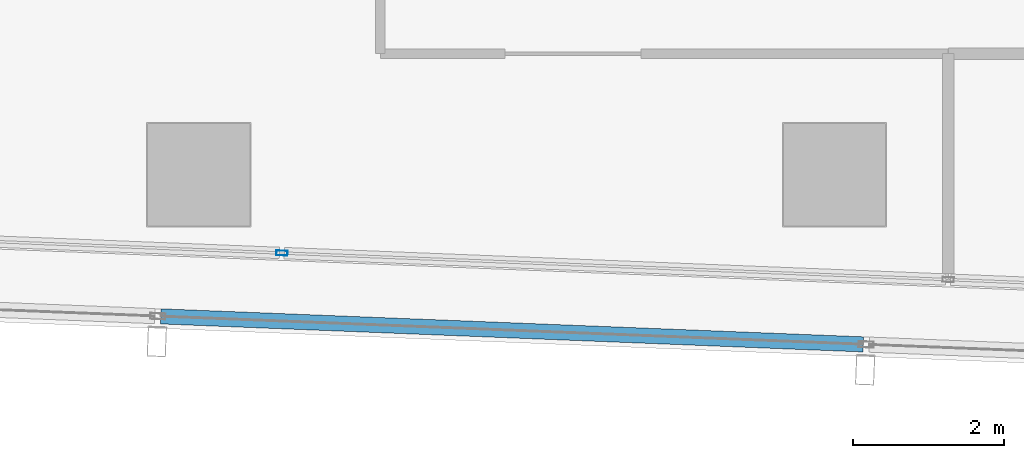
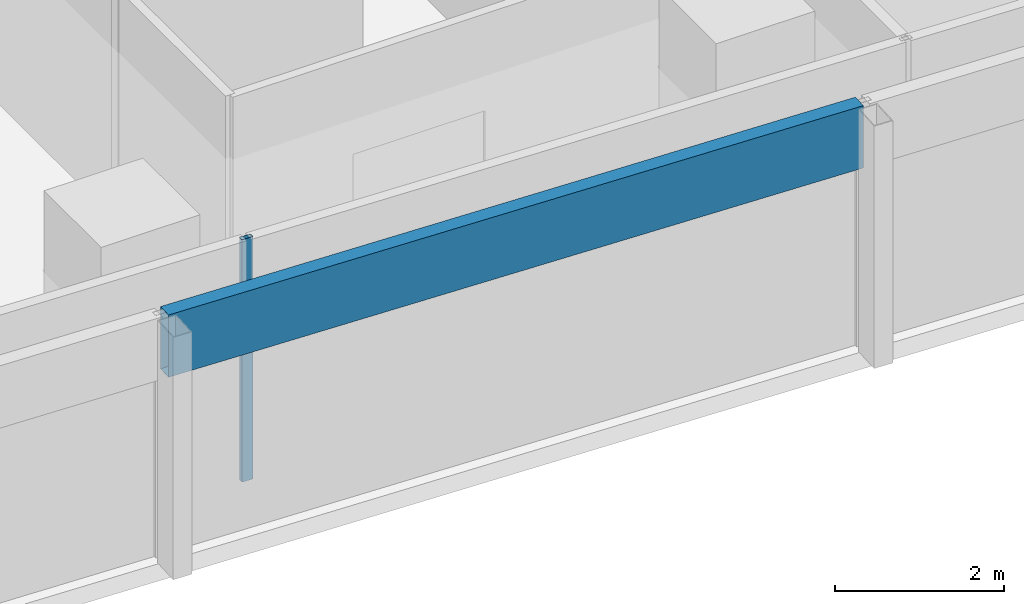
# One storey, part 4 of 35: 2 members, 2 elements without a shape of their own.
"""IFC4 building model written with IfcOpenShell, lengths in metres."""

from ifc_helpers import new_model, si_unit, direction, frame, origin, origin_2d, place, context, subcontext, project, spatial, hollow_rectangle, extrude, material, material_profile, profile_set, type_object, element, aggregate, save


model = new_model("IFC4")

# Units and contexts
model_context = context("Model", 3, precision=1e-05, world=origin(), true_north=direction((0.0, 1.0)))
body_context = subcontext(model_context, "Body", "Model", "MODEL_VIEW")
ifc_project = project(units=[si_unit("LENGTHUNIT", "METRE"), si_unit("AREAUNIT", "SQUARE_METRE"), si_unit("VOLUMEUNIT", "CUBIC_METRE"), si_unit("PLANEANGLEUNIT", "RADIAN"), si_unit("MASSUNIT", "GRAM", prefix="KILO")], contexts=[model_context])

# Site, building, storey
site_placement = place(None, origin())
site = spatial("IfcSite", under=ifc_project, at=site_placement, CompositionType="ELEMENT")
building_placement = place(site_placement, origin())
building = spatial("IfcBuilding", under=site, at=building_placement, Name="Rekha Terrace Tower", CompositionType="ELEMENT")
storey_placement = place(building_placement, frame((0.0, 0.0, 191.449951171875)))
storey = spatial("IfcBuildingStorey", under=building, at=storey_placement, Name="L48", CompositionType="ELEMENT", Elevation=191.449951171875)

# Curtain wall, member
ifc_material_1 = material(Name="Aluminium framing", Category="aluminium")
curtain_wall_type_1 = type_object("IfcCurtainWallType", Name="CW1 double skin inner glazing", PredefinedType="USERDEFINED", material=ifc_material_1)
curtain_wall_1_placement = place(storey_placement, origin())
curtain_wall_1 = element("IfcCurtainWall", 1, at=curtain_wall_1_placement, inside=storey, type_object=curtain_wall_type_1, Name="CW1 double skin inner glazing", ObjectType="DOUBLE SKIN INNER GLAZING", PredefinedType="USERDEFINED")
ifc_material_2 = material(Name="Aluminium mullion section", Category="aluminium")
ifc_material_profile_1 = material_profile(ifc_material_2, hollow_rectangle(XDim=0.06494140625, YDim=0.14990234375, WallThickness=0.00390625, at=origin_2d()), Name="AL RHS 65x150")
ifc_profile_set_1 = profile_set([ifc_material_profile_1], Name="Aluminium mullion section")
member_type_1 = type_object("IfcMemberType", Name="CW1 mullion RHS 65 x 150", PredefinedType="MULLION", material=ifc_profile_set_1)
member_1_placement = place(storey_placement, frame((17.89892578125, 15.765869140625, 0.0), z_axis=(0.0, 0.0, 1.0), x_axis=(0.039872497061, 0.999204775798, 0.0)))
member_1 = element("IfcMember", 2, at=member_1_placement, type_object=member_type_1, Name="CW1 mullion 2", PredefinedType="MULLION", context=body_context, shape_type="SweptSolid", body=[
    extrude(hollow_rectangle(XDim=0.06494140625, YDim=0.14990234375, WallThickness=0.00390625, at=origin_2d()), origin(), (0.0, 0.0, 1.0), 3.5),
])
aggregate(curtain_wall_1, [member_1])

curtain_wall_type_2 = type_object("IfcCurtainWallType", Name="CW2 double skin outer glazing", PredefinedType="USERDEFINED", material=ifc_material_1)
curtain_wall_2_placement = place(storey_placement, origin())
curtain_wall_2 = element("IfcCurtainWall", 3, at=curtain_wall_2_placement, inside=storey, type_object=curtain_wall_type_2, Name="CW2 double skin outer glazing", ObjectType="DOUBLE SKIN OUTER GLAZING", PredefinedType="USERDEFINED")
ifc_material_3 = material(Name="Insulated aluminium spandrel box", Category="aluminium")
ifc_material_profile_2 = material_profile(ifc_material_3, hollow_rectangle(XDim=0.199951171875, YDim=0.89990234375, WallThickness=0.0029296875, at=origin_2d()), Name="AL SPANDREL BOX 200x900")
ifc_profile_set_2 = profile_set([ifc_material_profile_2], Name="Insulated aluminium spandrel box")
member_type_2 = type_object("IfcMemberType", Name="CW2 spandrel transom 200 x 900", PredefinedType="USERDEFINED", material=ifc_profile_set_2)
member_2_placement = place(storey_placement, frame((16.2998046875, 14.928955078125, 3.050048828125), z_axis=(0.999205404308, -0.039856743486, 0.0), x_axis=(0.039856743486, 0.999205404308, 0.0)))
member_2 = element("IfcMember", 4, at=member_2_placement, type_object=member_type_2, Name="CW2 spandrel transom 2", ObjectType="TRANSOM", PredefinedType="USERDEFINED", context=body_context, shape_type="SweptSolid", body=[
    extrude(hollow_rectangle(XDim=0.199951171875, YDim=0.89990234375, WallThickness=0.0029296875, at=origin_2d()), origin(), (0.0, 0.0, 1.0), 9.2861328125),
])
aggregate(curtain_wall_2, [member_2])

save(model, "model.ifc")
